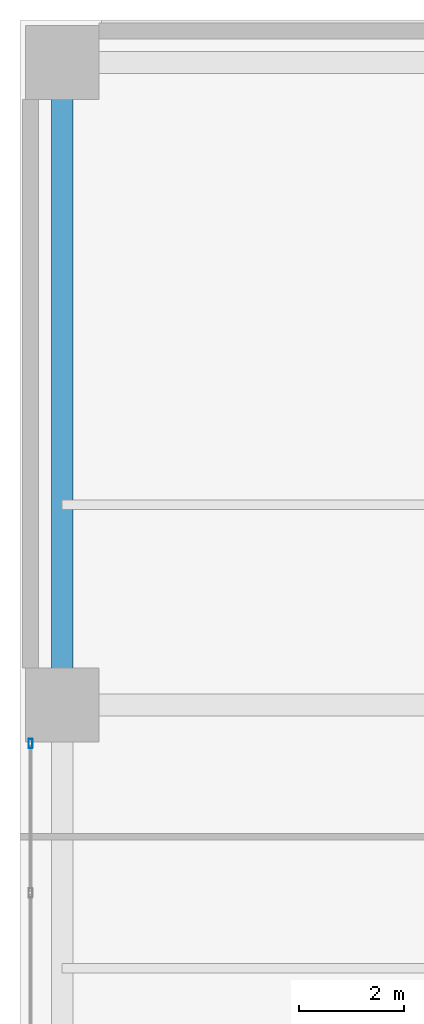
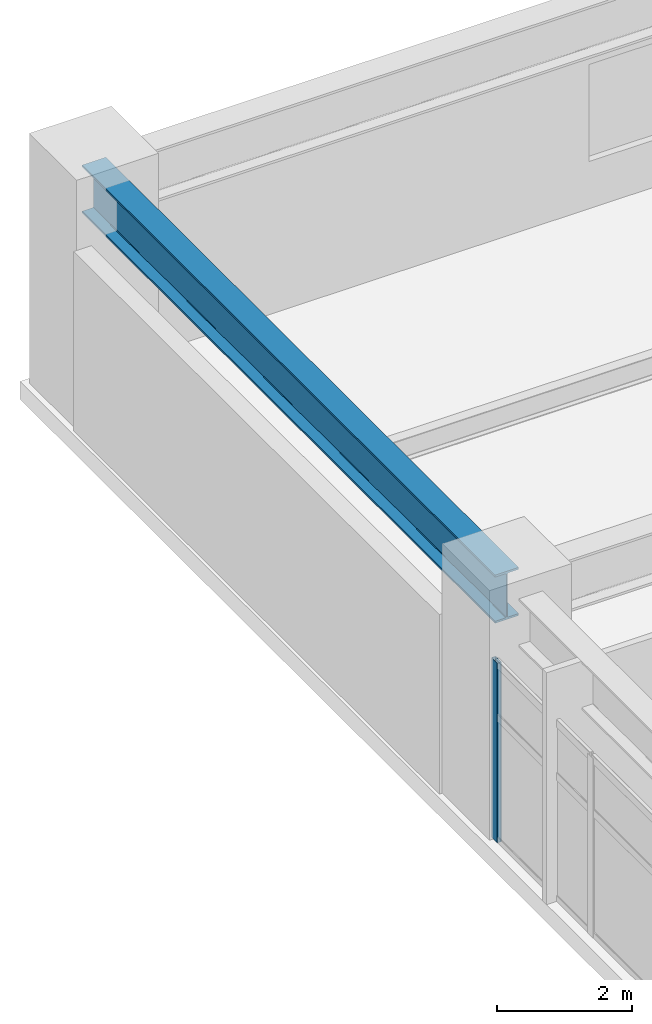
# One storey, part 11 of 28: 1 beam, 1 member, 1 element without a shape of its own.
"""IFC4 building model written with IfcOpenShell, lengths in metres."""

from ifc_helpers import new_model, si_unit, direction, frame, origin, origin_2d, place, context, subcontext, project, spatial, hollow_rectangle, i_section, extrude, material, layer, layer_set, material_profile, profile_set, type_object, element, aggregate, save


model = new_model("IFC4")

# Units and contexts
model_context = context("Model", 3, precision=1e-05, world=origin(), true_north=direction((0.0, 1.0)))
body_context = subcontext(model_context, "Body", "Model", "MODEL_VIEW")
ifc_project = project(units=[si_unit("LENGTHUNIT", "METRE"), si_unit("AREAUNIT", "SQUARE_METRE"), si_unit("VOLUMEUNIT", "CUBIC_METRE"), si_unit("PLANEANGLEUNIT", "RADIAN"), si_unit("MASSUNIT", "GRAM", prefix="KILO")], contexts=[model_context])

# Site, building, storey
site_placement = place(None, origin())
site = spatial("IfcSite", under=ifc_project, at=site_placement, CompositionType="ELEMENT")
building_placement = place(site_placement, origin())
building = spatial("IfcBuilding", under=site, at=building_placement, Name="Soratama Intermodal Tower", CompositionType="ELEMENT")
storey_placement = place(building_placement, frame((0.0, 0.0, 16.199951171875)))
storey = spatial("IfcBuildingStorey", under=building, at=storey_placement, Name="L03", CompositionType="ELEMENT", Elevation=16.199951171875)

# Beam
ifc_material_1 = material(Name="Structural steel ASTM A992 Grade 50", Category="steel")
ifc_material_profile_1 = material_profile(ifc_material_1, i_section(OverallWidth=0.403076171875, OverallDepth=0.867919921875, WebThickness=0.02099609375, FlangeThickness=0.03564453125, FilletRadius=0.01806640625, at=origin_2d()), Name="W33X241")
ifc_profile_set_1 = profile_set([ifc_material_profile_1], Name="Structural steel ASTM A992 Grade 50")
beam_type = type_object("IfcBeamType", Name="BM-POD-EXT-W33", PredefinedType="BEAM", material=ifc_profile_set_1)
beam_placement = place(storey_placement, frame((0.800048828125, 35.0, 3.74609375), z_axis=(0.0, 1.0, 0.0), x_axis=(-1.0, 0.0, 0.0)))
element("IfcBeam", 1, at=beam_placement, inside=storey, type_object=beam_type, Name="L03 Station Girder Y1-4", PredefinedType="BEAM", context=body_context, shape_type="SweptSolid", body=[
    extrude(i_section(OverallWidth=0.403076171875, OverallDepth=0.867919921875, WebThickness=0.02099609375, FlangeThickness=0.03564453125, FilletRadius=0.01806640625, at=origin_2d()), origin(), (0.0, 0.0, 1.0), 12.199951171875),
])

# Curtain wall, member
ifc_material_2 = material(Name="Double-glazed aluminium curtain wall", Category="aluminium")
ifc_layer = layer(ifc_material_2, 0.159912109375)
ifc_layer_set = layer_set([ifc_layer], Name="Double-glazed aluminium curtain wall")
curtain_wall_type = type_object("IfcCurtainWallType", Name="CW-SYS-1", PredefinedType="NOTDEFINED", material=ifc_layer_set)
curtain_wall_placement = place(storey_placement, origin())
curtain_wall = element("IfcCurtainWall", 2, at=curtain_wall_placement, inside=storey, type_object=curtain_wall_type, Name="L03 Station Curtain Wall W2", PredefinedType="NOTDEFINED")
ifc_material_3 = material(Name="Anodised aluminium AA 6063-T6", Category="aluminium")
ifc_material_profile_2 = material_profile(ifc_material_3, hollow_rectangle(XDim=0.074951171875, YDim=0.179931640625, WallThickness=0.006103515625, InnerFilletRadius=0.006103515625, OuterFilletRadius=0.011962890625, at=origin_2d()), Name="CWM180X75X6")
ifc_profile_set_2 = profile_set([ifc_material_profile_2], Name="Anodised aluminium AA 6063-T6")
member_type = type_object("IfcMemberType", Name="MT-CWM-1", PredefinedType="MULLION", material=ifc_profile_set_2)
member_placement = place(storey_placement, frame((0.199951171875, 34.27001953125, 0.0), z_axis=(0.0, 0.0, 1.0), x_axis=(-1.0, 0.0, 0.0)))
member = element("IfcMember", 3, at=member_placement, type_object=member_type, Name="CW-1 mullion 4", PredefinedType="MULLION", context=body_context, shape_type="SweptSolid", body=[
    extrude(hollow_rectangle(XDim=0.074951171875, YDim=0.179931640625, WallThickness=0.006103515625, InnerFilletRadius=0.006103515625, OuterFilletRadius=0.011962890625, at=origin_2d()), origin(), (0.0, 0.0, 1.0), 3.236083984375),
])
aggregate(curtain_wall, [member])

save(model, "model.ifc")
